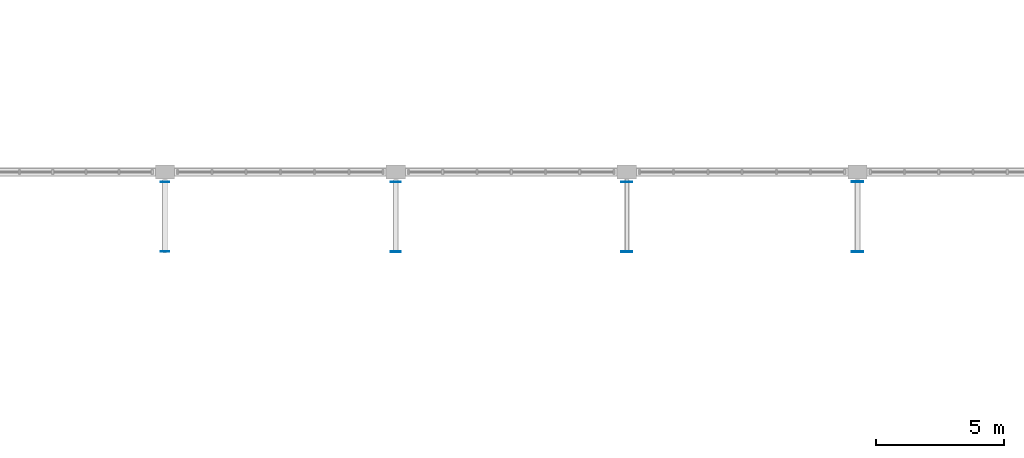
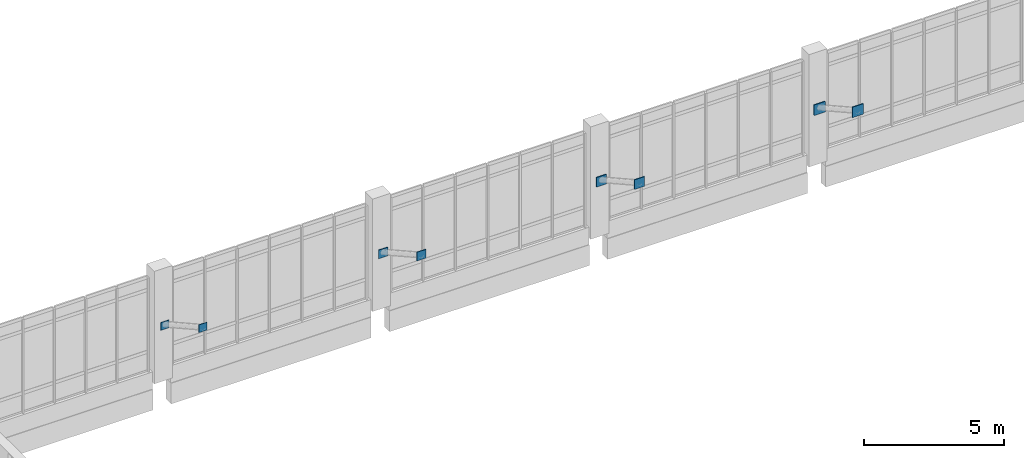
# One storey, part 71 of 110: 8 plates.
"""IFC4 building model written with IfcOpenShell, lengths in metres."""

from ifc_helpers import new_model, si_unit, direction, frame, origin, origin_2d, place, context, subcontext, project, spatial, rectangle, extrude, material, layer, layer_set, type_object, element, save


model = new_model("IFC4")

# Units and contexts
model_context = context("Model", 3, precision=1e-05, world=origin(), true_north=direction((0.0, 1.0)))
body_context = subcontext(model_context, "Body", "Model", "MODEL_VIEW")
ifc_project = project(units=[si_unit("LENGTHUNIT", "METRE"), si_unit("AREAUNIT", "SQUARE_METRE"), si_unit("VOLUMEUNIT", "CUBIC_METRE"), si_unit("PLANEANGLEUNIT", "RADIAN"), si_unit("MASSUNIT", "GRAM", prefix="KILO")], contexts=[model_context])

# Site, building, storey
site_placement = place(None, origin())
site = spatial("IfcSite", under=ifc_project, at=site_placement, CompositionType="ELEMENT")
building_placement = place(site_placement, origin())
building = spatial("IfcBuilding", under=site, at=building_placement, Name="Zacnel Wholesale Market", CompositionType="ELEMENT")
storey_placement = place(building_placement, frame((0.0, 0.0, 6.300048828125)))
storey = spatial("IfcBuildingStorey", under=building, at=storey_placement, Name="L02", CompositionType="ELEMENT", Elevation=6.300048828125)

# Plates
ifc_material_1 = material(Name="Steel S355", Category="steel")
ifc_layer_1 = layer(ifc_material_1, 0.02392578125)
ifc_layer_set_1 = layer_set([ifc_layer_1], Name="Steel S355")
plate_type_1 = type_object("IfcPlateType", Name="PLT-GUS-340X24", PredefinedType="SHEET", material=ifc_layer_set_1)
for number, where, z_axis, x_axis, name in (
    (1, (81.0, 95.919921875, 2.330078125), (0.0, 0.0, 1.0), (1.0, 0.0, 0.0), "Eave strut gusset plate 001"),
    (2, (81.0, 93.199951171875, 3.8798828125), (0.0, 0.0, 1.0), (1.0, 0.0, 0.0), "Eave strut tip gusset plate 001"),
):
    element("IfcPlate", number, at=place(storey_placement, frame(where, z_axis=z_axis, x_axis=x_axis)), inside=storey, type_object=plate_type_1, Name=name, PredefinedType="SHEET", context=body_context, shape_type="SweptSolid", body=[
        extrude(rectangle(XDim=0.340087890625, YDim=0.02392578125, at=origin_2d()), origin(), (0.0, 0.0, 1.0), 0.340087890625),
    ])
ifc_material_2 = material(Name="Steel S355", Category="steel")
ifc_layer_2 = layer(ifc_material_2, 0.028076171875)
ifc_layer_set_2 = layer_set([ifc_layer_2], Name="Steel S355")
plate_type_2 = type_object("IfcPlateType", Name="PLT-GUS-380X28", PredefinedType="SHEET", material=ifc_layer_set_2)
for number, where, z_axis, x_axis, name in (
    (3, (90.0, 95.919921875, 2.31005859375), (0.0, 0.0, 1.0), (1.0, 0.0, 0.0), "Eave strut gusset plate 002"),
    (4, (90.0, 93.199951171875, 3.860107421875), (0.0, 0.0, 1.0), (1.0, 0.0, 0.0), "Eave strut tip gusset plate 003"),
):
    element("IfcPlate", number, at=place(storey_placement, frame(where, z_axis=z_axis, x_axis=x_axis)), inside=storey, type_object=plate_type_2, Name=name, PredefinedType="SHEET", context=body_context, shape_type="SweptSolid", body=[
        extrude(rectangle(XDim=0.3798828125, YDim=0.028076171875, at=origin_2d()), origin(), (0.0, 0.0, 1.0), 0.3798828125),
    ])
ifc_material_3 = material(Name="Steel S355", Category="steel")
ifc_layer_3 = layer(ifc_material_3, 0.031982421875)
ifc_layer_set_3 = layer_set([ifc_layer_3], Name="Steel S355")
plate_type_3 = type_object("IfcPlateType", Name="PLT-GUS-420X32", PredefinedType="SHEET", material=ifc_layer_set_3)
for number, where, z_axis, x_axis, name in (
    (5, (99.0, 95.919921875, 2.2900390625), (0.0, 0.0, 1.0), (1.0, 0.0, 0.0), "Eave strut gusset plate 003"),
    (6, (99.0, 93.199951171875, 3.840087890625), (0.0, 0.0, 1.0), (1.0, 0.0, 0.0), "Eave strut tip gusset plate 004"),
):
    element("IfcPlate", number, at=place(storey_placement, frame(where, z_axis=z_axis, x_axis=x_axis)), inside=storey, type_object=plate_type_3, Name=name, PredefinedType="SHEET", context=body_context, shape_type="SweptSolid", body=[
        extrude(rectangle(XDim=0.419921875, YDim=0.031982421875, at=origin_2d()), origin(), (0.0, 0.0, 1.0), 0.419921875),
    ])
ifc_material_4 = material(Name="Steel S355", Category="steel")
ifc_layer_4 = layer(ifc_material_4, 0.035888671875)
ifc_layer_set_4 = layer_set([ifc_layer_4], Name="Steel S355")
plate_type_4 = type_object("IfcPlateType", Name="PLT-GUS-460X36", PredefinedType="SHEET", material=ifc_layer_set_4)
for number, where, z_axis, x_axis, name in (
    (7, (108.0, 95.919921875, 2.27001953125), (0.0, 0.0, 1.0), (1.0, 0.0, 0.0), "Eave strut gusset plate 004"),
    (8, (108.0, 93.199951171875, 3.820068359375), (0.0, 0.0, 1.0), (1.0, 0.0, 0.0), "Eave strut tip gusset plate 005"),
):
    element("IfcPlate", number, at=place(storey_placement, frame(where, z_axis=z_axis, x_axis=x_axis)), inside=storey, type_object=plate_type_4, Name=name, PredefinedType="SHEET", context=body_context, shape_type="SweptSolid", body=[
        extrude(rectangle(XDim=0.4599609375, YDim=0.035888671875, at=origin_2d()), origin(), (0.0, 0.0, 1.0), 0.4599609375),
    ])

save(model, "model.ifc")
